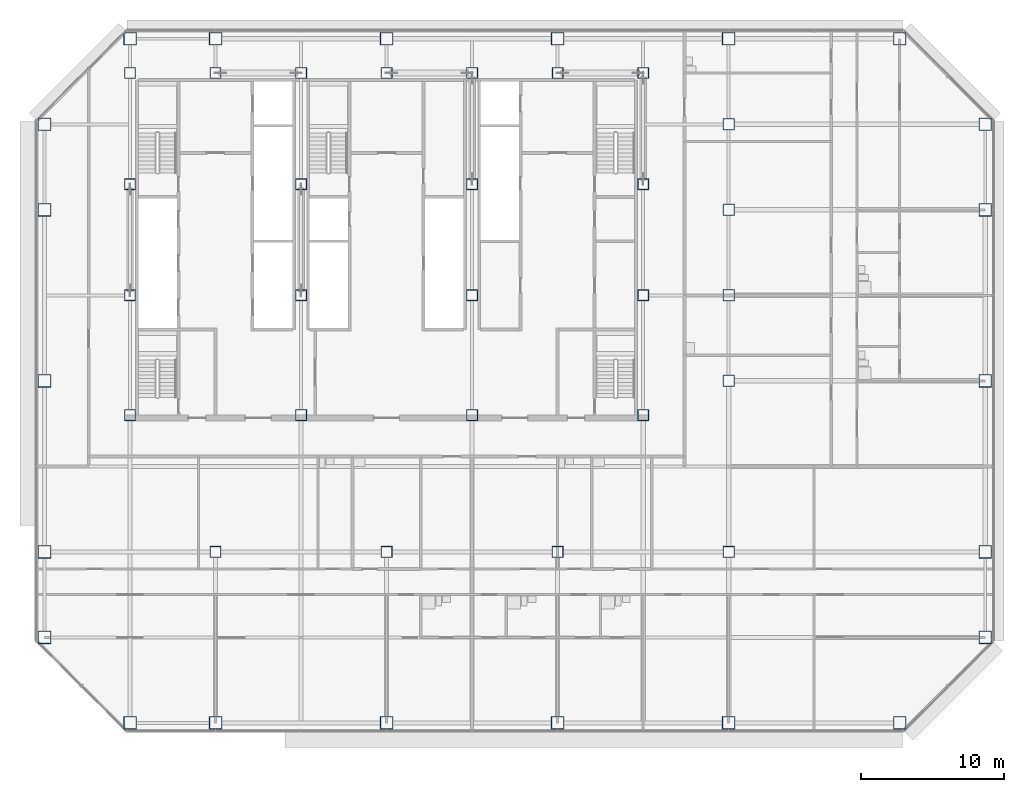
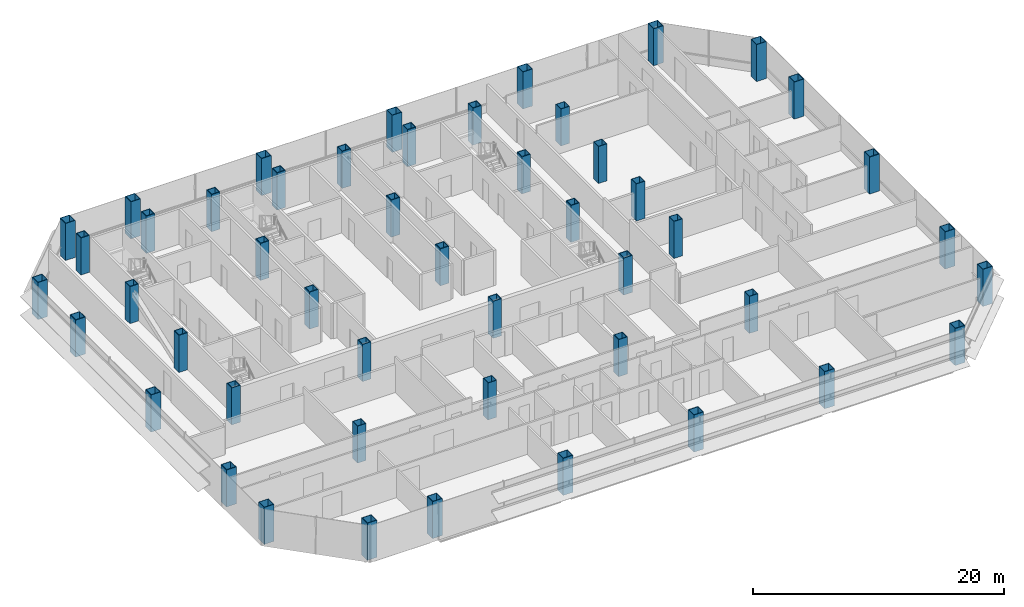
# One storey, part 1 of 26: 49 columns.
"""IFC4 building model written with IfcOpenShell, lengths in metres."""

from ifc_helpers import new_model, si_unit, direction, frame, origin, origin_2d, place, context, subcontext, project, spatial, hollow_rectangle, extrude, material, material_profile, profile_set, type_object, element, save


model = new_model("IFC4")

# Units and contexts
model_context = context("Model", 3, precision=1e-05, world=origin(), true_north=direction((0.0, 1.0)))
body_context = subcontext(model_context, "Body", "Model", "MODEL_VIEW")
ifc_project = project(units=[si_unit("LENGTHUNIT", "METRE"), si_unit("AREAUNIT", "SQUARE_METRE"), si_unit("VOLUMEUNIT", "CUBIC_METRE"), si_unit("PLANEANGLEUNIT", "RADIAN"), si_unit("MASSUNIT", "GRAM", prefix="KILO")], contexts=[model_context])

# Site, building, storey
site_placement = place(None, origin())
site = spatial("IfcSite", under=ifc_project, at=site_placement, CompositionType="ELEMENT")
building_placement = place(site_placement, origin())
building = spatial("IfcBuilding", under=site, at=building_placement, Name="Sorahane Residences", CompositionType="ELEMENT")
storey_placement = place(building_placement, frame((0.0, 0.0, 64.199951171875)))
storey = spatial("IfcBuildingStorey", under=building, at=storey_placement, Name="L12", CompositionType="ELEMENT", Elevation=64.199951171875)

# Columns
ifc_material_1 = material(Name="Steel Q355B", Category="steel")
ifc_material_profile_1 = material_profile(ifc_material_1, hollow_rectangle(XDim=0.800048828125, YDim=0.800048828125, WallThickness=0.0400390625, at=origin_2d()), Name="BOX 800x800x40")
ifc_profile_set_1 = profile_set([ifc_material_profile_1], Name="Steel Q355B")
column_type_1 = type_object("IfcColumnType", Name="Steel box column BOX 800x800x40 Q355B", PredefinedType="COLUMN", material=ifc_profile_set_1)
for number, where, z_axis, x_axis, name in (
    (1, (12.0, 12.0, 0.0), (0.0, 0.0, 1.0), (1.0, 0.0, 0.0), "Column L12 12/12"),
    (2, (24.0, 12.0, 0.0), (0.0, 0.0, 1.0), (1.0, 0.0, 0.0), "Column L12 24/12"),
    (3, (36.0, 12.0, 0.0), (0.0, 0.0, 1.0), (1.0, 0.0, 0.0), "Column L12 36/12"),
    (4, (48.0, 12.0, 0.0), (0.0, 0.0, 1.0), (1.0, 0.0, 0.0), "Column L12 48/12"),
    (5, (48.0, 24.0, 0.0), (0.0, 0.0, 1.0), (1.0, 0.0, 0.0), "Column L12 48/24"),
    (6, (48.0, 30.0, 0.0), (0.0, 0.0, 1.0), (1.0, 0.0, 0.0), "Column L12 48/30"),
    (7, (48.0, 36.0, 0.0), (0.0, 0.0, 1.0), (1.0, 0.0, 0.0), "Column L12 48/36"),
    (8, (48.0, 42.0, 0.0), (0.0, 0.0, 1.0), (1.0, 0.0, 0.0), "Column L12 48/42"),
):
    element("IfcColumn", number, at=place(storey_placement, frame(where, z_axis=z_axis, x_axis=x_axis)), inside=storey, type_object=column_type_1, Name=name, PredefinedType="COLUMN", context=body_context, shape_type="SweptSolid", body=[
        extrude(hollow_rectangle(XDim=0.800048828125, YDim=0.800048828125, WallThickness=0.0400390625, at=origin_2d()), origin(), (0.0, 0.0, 1.0), 3.60009765625),
    ])
ifc_material_2 = material(Name="Steel Q420GJ", Category="steel")
ifc_material_profile_2 = material_profile(ifc_material_2, hollow_rectangle(XDim=0.800048828125, YDim=0.800048828125, WallThickness=0.06005859375, at=origin_2d()), Name="BOX 800x800x60")
ifc_profile_set_2 = profile_set([ifc_material_profile_2], Name="Steel Q420GJ")
column_type_2 = type_object("IfcColumnType", Name="Steel box column BOX 800x800x60 Q420GJ", PredefinedType="COLUMN", material=ifc_profile_set_2)
for number, where, z_axis, x_axis, name in (
    (9, (6.0, 21.60009765625, 0.0), (0.0, 0.0, 1.0), (1.0, 0.0, 0.0), "Column L12 6/21.6"),
    (10, (6.0, 30.0, 0.0), (0.0, 0.0, 1.0), (1.0, 0.0, 0.0), "Column L12 6/30"),
    (11, (6.0, 37.800048828125, 0.0), (0.0, 0.0, 1.0), (1.0, 0.0, 0.0), "Column L12 6/37.8"),
    (12, (6.0, 45.60009765625, 0.0), (0.0, 0.0, 1.0), (1.0, 0.0, 0.0), "Column L12 6/45.6"),
    (13, (12.0, 45.60009765625, 0.0), (0.0, 0.0, 1.0), (1.0, 0.0, 0.0), "Column L12 12/45.6"),
    (14, (18.0, 21.60009765625, 0.0), (0.0, 0.0, 1.0), (1.0, 0.0, 0.0), "Column L12 18/21.6"),
    (15, (18.0, 30.0, 0.0), (0.0, 0.0, 1.0), (1.0, 0.0, 0.0), "Column L12 18/30"),
    (16, (18.0, 37.800048828125, 0.0), (0.0, 0.0, 1.0), (1.0, 0.0, 0.0), "Column L12 18/37.8"),
    (17, (18.0, 45.60009765625, 0.0), (0.0, 0.0, 1.0), (1.0, 0.0, 0.0), "Column L12 18/45.6"),
    (18, (24.0, 45.60009765625, 0.0), (0.0, 0.0, 1.0), (1.0, 0.0, 0.0), "Column L12 24/45.6"),
    (19, (30.0, 21.60009765625, 0.0), (0.0, 0.0, 1.0), (1.0, 0.0, 0.0), "Column L12 30/21.6"),
    (20, (30.0, 30.0, 0.0), (0.0, 0.0, 1.0), (1.0, 0.0, 0.0), "Column L12 30/30"),
    (21, (30.0, 37.800048828125, 0.0), (0.0, 0.0, 1.0), (1.0, 0.0, 0.0), "Column L12 30/37.8"),
    (22, (30.0, 45.60009765625, 0.0), (0.0, 0.0, 1.0), (1.0, 0.0, 0.0), "Column L12 30/45.6"),
    (23, (36.0, 45.60009765625, 0.0), (0.0, 0.0, 1.0), (1.0, 0.0, 0.0), "Column L12 36/45.6"),
    (24, (42.0, 21.60009765625, 0.0), (0.0, 0.0, 1.0), (1.0, 0.0, 0.0), "Column L12 42/21.6"),
    (25, (42.0, 30.0, 0.0), (0.0, 0.0, 1.0), (1.0, 0.0, 0.0), "Column L12 42/30"),
    (26, (42.0, 37.800048828125, 0.0), (0.0, 0.0, 1.0), (1.0, 0.0, 0.0), "Column L12 42/37.8"),
    (27, (42.0, 45.60009765625, 0.0), (0.0, 0.0, 1.0), (1.0, 0.0, 0.0), "Column L12 42/45.6"),
):
    element("IfcColumn", number, at=place(storey_placement, frame(where, z_axis=z_axis, x_axis=x_axis)), inside=storey, type_object=column_type_2, Name=name, PredefinedType="COLUMN", context=body_context, shape_type="SweptSolid", body=[
        extrude(hollow_rectangle(XDim=0.800048828125, YDim=0.800048828125, WallThickness=0.06005859375, at=origin_2d()), origin(), (0.0, 0.0, 1.0), 3.60009765625),
    ])
ifc_material_3 = material(Name="Steel Q420GJ", Category="steel")
ifc_material_profile_3 = material_profile(ifc_material_3, hollow_rectangle(XDim=0.89990234375, YDim=0.89990234375, WallThickness=0.044921875, at=origin_2d()), Name="BOX 900x900x45")
ifc_profile_set_3 = profile_set([ifc_material_profile_3], Name="Steel Q420GJ")
column_type_3 = type_object("IfcColumnType", Name="Steel box column BOX 900x900x45 Q420GJ", PredefinedType="COLUMN", material=ifc_profile_set_3)
for number, where, z_axis, x_axis, name in (
    (28, (0.0, 6.0, 0.0), (0.0, 0.0, 1.0), (1.0, 0.0, 0.0), "Column L12 m0/6"),
    (29, (0.0, 12.0, 0.0), (0.0, 0.0, 1.0), (1.0, 0.0, 0.0), "Column L12 m0/12"),
    (30, (0.0, 24.0, 0.0), (0.0, 0.0, 1.0), (1.0, 0.0, 0.0), "Column L12 m0/24"),
    (31, (0.0, 36.0, 0.0), (0.0, 0.0, 1.0), (1.0, 0.0, 0.0), "Column L12 m0/36"),
    (32, (0.0, 42.0, 0.0), (0.0, 0.0, 1.0), (1.0, 0.0, 0.0), "Column L12 m0/42"),
    (33, (6.0, 0.0, 0.0), (0.0, 0.0, 1.0), (1.0, 0.0, 0.0), "Column L12 6/0"),
    (34, (6.0, 48.0, 0.0), (0.0, 0.0, 1.0), (1.0, 0.0, 0.0), "Column L12 6/48"),
    (35, (12.0, 0.0, 0.0), (0.0, 0.0, 1.0), (1.0, 0.0, 0.0), "Column L12 12/0"),
    (36, (12.0, 48.0, 0.0), (0.0, 0.0, 1.0), (1.0, 0.0, 0.0), "Column L12 12/48"),
    (37, (24.0, 0.0, 0.0), (0.0, 0.0, 1.0), (1.0, 0.0, 0.0), "Column L12 24/0"),
    (38, (24.0, 48.0, 0.0), (0.0, 0.0, 1.0), (1.0, 0.0, 0.0), "Column L12 24/48"),
    (39, (36.0, 0.0, 0.0), (0.0, 0.0, 1.0), (1.0, 0.0, 0.0), "Column L12 36/0"),
    (40, (36.0, 48.0, 0.0), (0.0, 0.0, 1.0), (1.0, 0.0, 0.0), "Column L12 36/48"),
    (41, (48.0, 0.0, 0.0), (0.0, 0.0, 1.0), (1.0, 0.0, 0.0), "Column L12 48/0"),
    (42, (48.0, 48.0, 0.0), (0.0, 0.0, 1.0), (1.0, 0.0, 0.0), "Column L12 48/48"),
    (43, (60.0, 0.0, 0.0), (0.0, 0.0, 1.0), (1.0, 0.0, 0.0), "Column L12 60/0"),
    (44, (60.0, 48.0, 0.0), (0.0, 0.0, 1.0), (1.0, 0.0, 0.0), "Column L12 60/48"),
    (45, (66.0, 6.0, 0.0), (0.0, 0.0, 1.0), (1.0, 0.0, 0.0), "Column L12 66/6"),
    (46, (66.0, 12.0, 0.0), (0.0, 0.0, 1.0), (1.0, 0.0, 0.0), "Column L12 66/12"),
    (47, (66.0, 24.0, 0.0), (0.0, 0.0, 1.0), (1.0, 0.0, 0.0), "Column L12 66/24"),
    (48, (66.0, 36.0, 0.0), (0.0, 0.0, 1.0), (1.0, 0.0, 0.0), "Column L12 66/36"),
    (49, (66.0, 42.0, 0.0), (0.0, 0.0, 1.0), (1.0, 0.0, 0.0), "Column L12 66/42"),
):
    element("IfcColumn", number, at=place(storey_placement, frame(where, z_axis=z_axis, x_axis=x_axis)), inside=storey, type_object=column_type_3, Name=name, PredefinedType="COLUMN", context=body_context, shape_type="SweptSolid", body=[
        extrude(hollow_rectangle(XDim=0.89990234375, YDim=0.89990234375, WallThickness=0.044921875, at=origin_2d()), origin(), (0.0, 0.0, 1.0), 3.60009765625),
    ])

save(model, "model.ifc")
